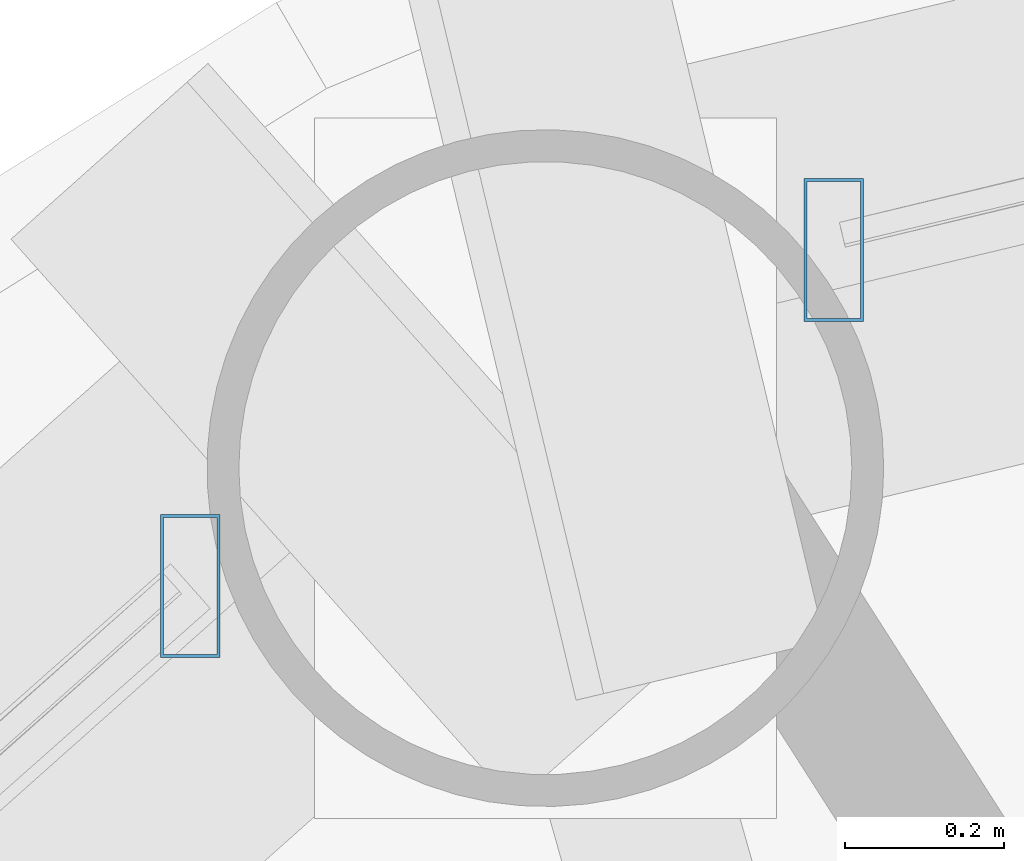
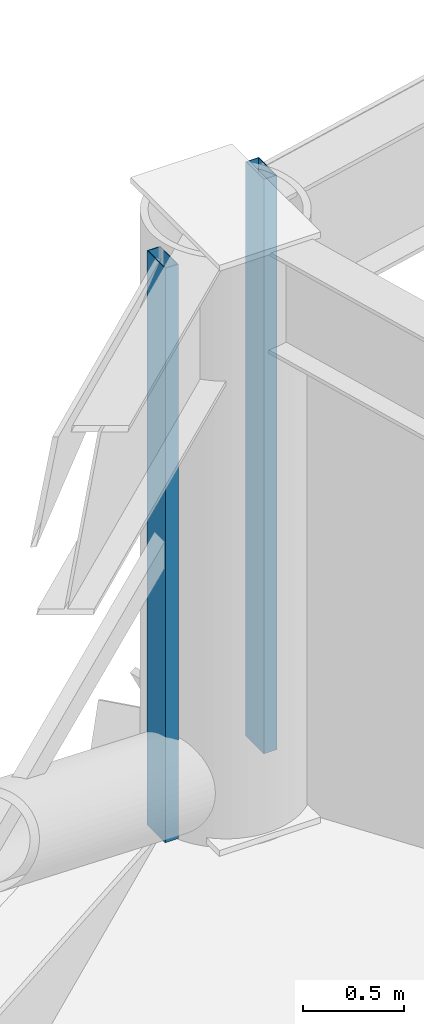
# One storey, part 17 of 31: 2 members, 2 elements without a shape of their own.
"""IFC4 building model written with IfcOpenShell, lengths in metres."""

from ifc_helpers import new_model, si_unit, direction, frame, origin, origin_2d, place, context, subcontext, project, spatial, hollow_rectangle, extrude, material, layer, layer_set, material_profile, profile_set, type_object, element, aggregate, save


model = new_model("IFC4")

# Units and contexts
model_context = context("Model", 3, precision=1e-05, world=origin(), true_north=direction((0.0, 1.0)))
body_context = subcontext(model_context, "Body", "Model", "MODEL_VIEW")
ifc_project = project(units=[si_unit("LENGTHUNIT", "METRE"), si_unit("AREAUNIT", "SQUARE_METRE"), si_unit("VOLUMEUNIT", "CUBIC_METRE"), si_unit("PLANEANGLEUNIT", "RADIAN"), si_unit("MASSUNIT", "GRAM", prefix="KILO")], contexts=[model_context])

# Site, building, storey
site_placement = place(None, origin())
site = spatial("IfcSite", under=ifc_project, at=site_placement, CompositionType="ELEMENT")
building_placement = place(site_placement, origin())
building = spatial("IfcBuilding", under=site, at=building_placement, Name="Vantalir Tower", CompositionType="ELEMENT")
storey_placement = place(building_placement, frame((0.0, 0.0, 42.0)))
storey = spatial("IfcBuildingStorey", under=building, at=storey_placement, Name="L09", CompositionType="ELEMENT", Elevation=42.0)

# Curtain wall, member
ifc_material_1 = material(Name="Champagne-silver PVDF aluminium and double-silver Low-E glass", Category="aluminium")
ifc_layer = layer(ifc_material_1, 0.18994140625)
ifc_layer_set = layer_set([ifc_layer], Name="Champagne-silver PVDF aluminium and double-silver Low-E glass")
curtain_wall_type = type_object("IfcCurtainWallType", Name="CW-DIAMOND-Z1", PredefinedType="USERDEFINED", material=ifc_layer_set)
curtain_wall_1_placement = place(storey_placement, origin())
curtain_wall_1 = element("IfcCurtainWall", 1, at=curtain_wall_1_placement, inside=storey, type_object=curtain_wall_type, Name="L09 Quilted Pyramid-Diamond Curtain Wall S04", ObjectType="UNITISED CURTAIN WALL", PredefinedType="USERDEFINED")
ifc_material_2 = material(Name="Champagne-silver PVDF aluminium 6063-T6", Category="aluminium")
ifc_material_profile = material_profile(ifc_material_2, hollow_rectangle(XDim=0.074951171875, YDim=0.179931640625, WallThickness=0.00390625, at=origin_2d()), Name="Champagne-silver PVDF aluminium 6063-T6")
ifc_profile_set = profile_set([ifc_material_profile], Name="Champagne-silver PVDF aluminium 6063-T6")
member_type = type_object("IfcMemberType", Name="CWM-180x75", PredefinedType="MULLION", material=ifc_profile_set)
member_1_placement = place(storey_placement, frame((18.54296875, 45.821044921875, 0.044921875), z_axis=(0.0, 0.0, 1.0), x_axis=(1.0, 0.0, 0.0)))
member_1 = element("IfcMember", 2, at=member_1_placement, type_object=member_type, Name="CW-L09-S04 Mullion 2", PredefinedType="MULLION", context=body_context, shape_type="SweptSolid", body=[
    extrude(hollow_rectangle(XDim=0.074951171875, YDim=0.179931640625, WallThickness=0.00390625, at=origin_2d()), origin(), (0.0, 0.0, 1.0), 3.47998046875),
])
aggregate(curtain_wall_1, [member_1])

curtain_wall_2_placement = place(storey_placement, origin())
curtain_wall_2 = element("IfcCurtainWall", 3, at=curtain_wall_2_placement, inside=storey, type_object=curtain_wall_type, Name="L09 Quilted Pyramid-Diamond Curtain Wall S05", ObjectType="UNITISED CURTAIN WALL", PredefinedType="USERDEFINED")
member_2_placement = place(storey_placement, frame((17.735107421875, 45.39892578125, 0.044921875), z_axis=(0.0, 0.0, 1.0), x_axis=(1.0, 0.0, 0.0)))
member_2 = element("IfcMember", 4, at=member_2_placement, type_object=member_type, Name="CW-L09-S05 Mullion 1", PredefinedType="MULLION", context=body_context, shape_type="SweptSolid", body=[
    extrude(hollow_rectangle(XDim=0.074951171875, YDim=0.179931640625, WallThickness=0.00390625, at=origin_2d()), origin(), (0.0, 0.0, 1.0), 3.47998046875),
])
aggregate(curtain_wall_2, [member_2])

save(model, "model.ifc")
